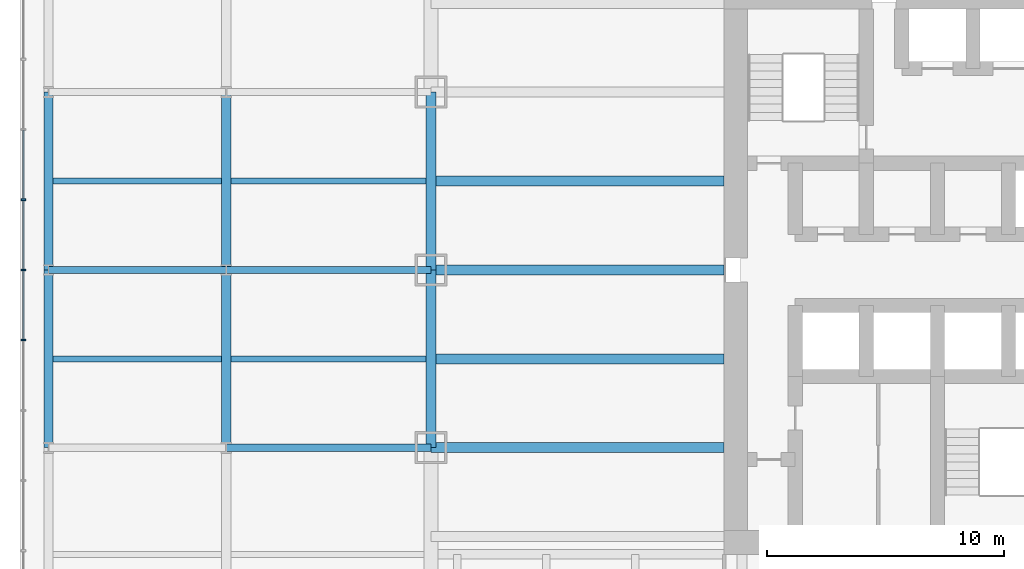
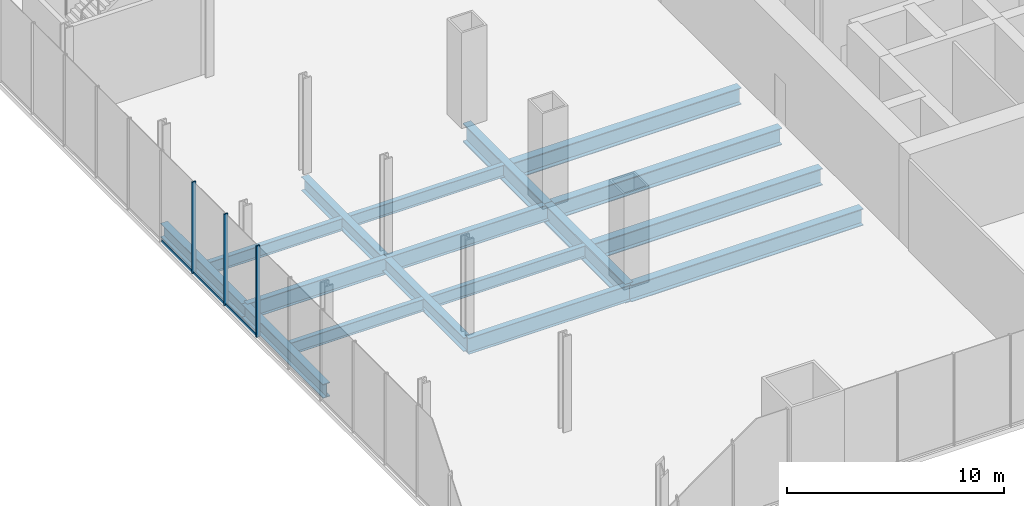
# One storey, part 3 of 16: 17 beams, 6 members, 1 element without a shape of its own.
"""IFC4 building model written with IfcOpenShell, lengths in metres."""

import ifcopenshell
import ifcopenshell.guid

model = None  # the IFC model being written
_history = None  # IfcOwnerHistory: only IFC2X3 demands one
_inside = {}  # id of a spatial element -> (the spatial element, [elements in it])
_under = {}  # id of a project, library or spatial element -> (it, [spatial elements below it])
_declared = {}  # id of a project -> (the project, [libraries it declares])
_typed = {}  # id of a type object -> (the type object, [elements of that type])
_made_of = {}  # id of a material, layer set ... -> (it, [elements and type objects made of it])


def new_model(schema):
    """Start an empty IFC model of exactly this schema.

    Asked for "IFC4X3", IfcOpenShell would pick the latest addendum, in which some entities
    have other attributes; the version numbers below select the first issue.
    IFC2X3 requires an IfcOwnerHistory on every rooted entity: one is made here for all.
    """
    global model, _history
    if schema == "IFC4X3":
        model = ifcopenshell.file(schema_version=(4, 3, 0, 0))
    else:
        model = ifcopenshell.file(schema=schema)
    _inside.clear()
    _under.clear()
    _declared.clear()
    _typed.clear()
    _made_of.clear()
    _history = None
    if model.schema == "IFC2X3":
        org = make("IfcOrganization", Name="unknown")
        user = make(
            "IfcPersonAndOrganization",
            ThePerson=make("IfcPerson", FamilyName="unknown"),
            TheOrganization=org,
        )
        app = make(
            "IfcApplication",
            ApplicationDeveloper=org,
            Version="unknown",
            ApplicationFullName="unknown",
            ApplicationIdentifier="unknown",
        )
        _history = make(
            "IfcOwnerHistory",
            OwningUser=user,
            OwningApplication=app,
            ChangeAction="ADDED",
            CreationDate=0,
        )
    return model


def make(cls, **values):
    """One entity of the class cls with the attributes given. An attribute that is None is left unset."""
    return model.create_entity(
        cls, **{name: value for name, value in values.items() if value is not None}
    )


def rooted(cls, **values):
    """An entity with a GlobalId (a new one), such as an element, a storey or a relation."""
    return make(cls, GlobalId=ifcopenshell.guid.new(), OwnerHistory=_history, **values)


def si_unit(unit_type, name, prefix=None):
    """IfcSIUnit, for example si_unit("LENGTHUNIT", "METRE", prefix="MILLI")."""
    return make("IfcSIUnit", UnitType=unit_type, Prefix=prefix, Name=name)


def assignment(units):
    """IfcUnitAssignment: the units of a project."""
    return None if units is None else make("IfcUnitAssignment", Units=units)


def point(xyz):
    """IfcCartesianPoint."""
    return None if xyz is None else make("IfcCartesianPoint", Coordinates=xyz)


def direction(xyz):
    """IfcDirection."""
    return None if xyz is None else make("IfcDirection", DirectionRatios=xyz)


def frame(location, z_axis=None, x_axis=None):
    """IfcAxis2Placement3D, a coordinate frame: its origin and axes. An axis left out is left unset."""
    return make(
        "IfcAxis2Placement3D",
        Location=point(location),
        Axis=direction(z_axis),
        RefDirection=direction(x_axis),
    )


def frame_2d(location, x_axis=None):
    """IfcAxis2Placement2D, a coordinate frame in the plane: its origin and x axis."""
    return make(
        "IfcAxis2Placement2D", Location=point(location), RefDirection=direction(x_axis)
    )


def origin():
    """The frame at (0, 0, 0) with its axes left unset."""
    return frame((0.0, 0.0, 0.0))


def origin_2d():
    """The frame at (0, 0) in the plane with its x axis left unset."""
    return frame_2d((0.0, 0.0))


def place(relative_to, where):
    """IfcLocalPlacement: puts the frame where relative to a parent placement (None: the world)."""
    return make(
        "IfcLocalPlacement", PlacementRelTo=relative_to, RelativePlacement=where
    )


def context(
    kind, dimensions, precision=None, world=None, true_north=None, identifier=None
):
    """IfcGeometricRepresentationContext, for example the 3D "Model" context."""
    return make(
        "IfcGeometricRepresentationContext",
        ContextIdentifier=identifier,
        ContextType=kind,
        CoordinateSpaceDimension=dimensions,
        Precision=precision,
        WorldCoordinateSystem=world,
        TrueNorth=true_north,
    )


def subcontext(parent, identifier, kind, view, scale=None):
    """IfcGeometricRepresentationSubContext, for example "Body" below "Model"."""
    return make(
        "IfcGeometricRepresentationSubContext",
        ContextIdentifier=identifier,
        ContextType=kind,
        ParentContext=parent,
        TargetScale=scale,
        TargetView=view,
    )


def project(units=None, contexts=None):
    """IfcProject with its units and contexts."""
    return rooted(
        "IfcProject",
        Name="project",
        RepresentationContexts=contexts,
        UnitsInContext=assignment(units),
    )


def spatial(cls, under=None, at=None, **own):
    """A site, building, storey or space (cls), placed at a placement, below another one or the project."""
    s = rooted(cls, ObjectPlacement=at, **own)
    if under is not None:
        _under.setdefault(under.id(), (under, []))[1].append(s)
    return s


def profile(cls, at=None, kind="AREA", **sizes):
    """A parametric profile (cls). Its sizes go by their IFC names, for example OverallWidth=200.0."""
    return make(cls, ProfileType=kind, Position=at, **sizes)


def rectangle(**sizes):
    """IfcRectangleProfileDef."""
    return profile("IfcRectangleProfileDef", **sizes)


def i_section(**sizes):
    """IfcIShapeProfileDef."""
    return profile("IfcIShapeProfileDef", **sizes)


def extrude(swept, where, along, depth):
    """IfcExtrudedAreaSolid: the profile swept, set in the frame where, extruded along a direction by depth."""
    return make(
        "IfcExtrudedAreaSolid",
        SweptArea=swept,
        Position=where,
        ExtrudedDirection=direction(along),
        Depth=depth,
    )


def shape(context_of_items, identifier, shape_type, items):
    """IfcShapeRepresentation: the items that make up one representation, for example the "Body"."""
    return make(
        "IfcShapeRepresentation",
        ContextOfItems=context_of_items,
        RepresentationIdentifier=identifier,
        RepresentationType=shape_type,
        Items=items,
    )


def material(Name=None, Category=None):
    """IfcMaterial."""
    return make("IfcMaterial", Name=Name, Category=Category)


def material_profile(
    of_material, cross_section, Name=None, Category=None, Priority=None
):
    """IfcMaterialProfile: a cross section and its material."""
    return make(
        "IfcMaterialProfile",
        Name=Name,
        Material=of_material,
        Profile=cross_section,
        Priority=Priority,
        Category=Category,
    )


def profile_set(profiles, Name=None, composite=None):
    """IfcMaterialProfileSet."""
    return make(
        "IfcMaterialProfileSet",
        Name=Name,
        MaterialProfiles=profiles,
        CompositeProfile=composite,
    )


def made_of(thing, what):
    """Note that an element or type object is made of a material, layer set ...; save() writes the relation."""
    if what is not None:
        _made_of.setdefault(what.id(), (what, []))[1].append(thing)
    return thing


def type_object(cls, material=None, **own):
    """A type object (cls), such as IfcWallType, which elements share."""
    return made_of(rooted(cls, **own), material)


def element(
    cls,
    number,
    at=None,
    inside=None,
    cuts=None,
    type_object=None,
    material=None,
    context=None,
    identifier="Body",
    shape_type=None,
    held_by="IfcProductDefinitionShape",
    body=None,
    shapes=None,
    **own,
):
    """One element of the class cls, such as IfcWall. Its Tag is "e" and its number.

    at: its placement. inside: the storey or other place that contains it. cuts: it is an
    opening in that element (IfcRelVoidsElement). A single representation is given by context,
    identifier, shape_type and body (its items); several are given by shapes. held_by: the class
    of the entity that holds the representations. save() writes the other relations.
    """
    e = rooted(cls, Tag="e%d" % number, ObjectPlacement=at, **own)
    if body is not None:
        shapes = [shape(context, identifier, shape_type, body)]
    if shapes is not None:
        e.Representation = make(held_by, Representations=shapes)
    if inside is not None:
        _inside.setdefault(inside.id(), (inside, []))[1].append(e)
    if cuts is not None:
        rooted(
            "IfcRelVoidsElement", RelatingBuildingElement=cuts, RelatedOpeningElement=e
        )
    if type_object is not None:
        _typed.setdefault(type_object.id(), (type_object, []))[1].append(e)
    return made_of(e, material)


def aggregate(whole, parts):
    """IfcRelAggregates: a whole, such as a stair, and the parts it consists of."""
    return rooted("IfcRelAggregates", RelatingObject=whole, RelatedObjects=parts)


def save(model, path):
    """Write the relations noted so far, then the file.

    IfcRelAggregates (storeys below a building ...), IfcRelContainedInSpatialStructure (elements
    in a storey), IfcRelDefinesByType, IfcRelAssociatesMaterial and IfcRelDeclares: one each for
    every whole, place, type object, material and project.
    """
    for whole, parts in _under.values():
        aggregate(whole, parts)
    for where, things in _inside.values():
        rooted(
            "IfcRelContainedInSpatialStructure",
            RelatedElements=things,
            RelatingStructure=where,
        )
    for kind, things in _typed.values():
        rooted("IfcRelDefinesByType", RelatedObjects=things, RelatingType=kind)
    for what, things in _made_of.values():
        rooted("IfcRelAssociatesMaterial", RelatedObjects=things, RelatingMaterial=what)
    for by, libraries in _declared.values():
        rooted("IfcRelDeclares", RelatingContext=by, RelatedDefinitions=libraries)
    model.write(path)


model = new_model("IFC4")

# Units and contexts
model_context = context("Model", 3, precision=1e-05, world=origin(), true_north=direction((0.0, 1.0)))
body_context = subcontext(model_context, "Body", "Model", "MODEL_VIEW")
ifc_project = project(units=[si_unit("LENGTHUNIT", "METRE"), si_unit("AREAUNIT", "SQUARE_METRE"), si_unit("VOLUMEUNIT", "CUBIC_METRE"), si_unit("PLANEANGLEUNIT", "RADIAN"), si_unit("MASSUNIT", "GRAM", prefix="KILO")], contexts=[model_context])

# Site, building, storey
site_placement = place(None, origin())
site = spatial("IfcSite", under=ifc_project, at=site_placement, CompositionType="ELEMENT")
building_placement = place(site_placement, origin())
building = spatial("IfcBuilding", under=site, at=building_placement, Name="Tarangal Relay Tower", CompositionType="ELEMENT")
storey_placement = place(building_placement, frame((0.0, 0.0, 12.60009765625)))
storey = spatial("IfcBuildingStorey", under=building, at=storey_placement, Name="L02", CompositionType="ELEMENT", Elevation=12.60009765625)

# Beams
ifc_material_1 = material(Name="Steel ASTM A992", Category="steel")
ifc_material_profile_1 = material_profile(ifc_material_1, i_section(OverallWidth=0.41650390625, OverallDepth=1.0693359375, WebThickness=0.0390625, FlangeThickness=0.070068359375, at=origin_2d()), Name="W40X503")
ifc_profile_set_1 = profile_set([ifc_material_profile_1], Name="Steel ASTM A992")
beam_type_1 = type_object("IfcBeamType", Name="Edge girder W40X503", PredefinedType="SPANDREL", material=ifc_profile_set_1)
for number, where, z_axis, x_axis, name in (
    (1, (-24.364990234375, -7.5, -0.78466796875), (0.0, 1.0, 0.0), (-1.0, 0.0, 0.0), "Edge girder EG8 W L02"),
    (2, (-24.364990234375, 0.0, -0.78466796875), (0.0, 1.0, 0.0), (-1.0, 0.0, 0.0), "Edge girder EG8 W L02"),
):
    element("IfcBeam", number, at=place(storey_placement, frame(where, z_axis=z_axis, x_axis=x_axis)), inside=storey, type_object=beam_type_1, Name=name, PredefinedType="SPANDREL", context=body_context, shape_type="SweptSolid", body=[
        extrude(i_section(OverallWidth=0.41650390625, OverallDepth=1.0693359375, WebThickness=0.0390625, FlangeThickness=0.070068359375, at=origin_2d()), origin(), (0.0, 0.0, 1.0), 7.5),
    ])
ifc_material_profile_2 = material_profile(ifc_material_1, i_section(OverallWidth=0.42431640625, OverallDepth=0.947509765625, WebThickness=0.02392578125, FlangeThickness=0.042724609375, at=origin_2d()), Name="W36X302")
ifc_profile_set_2 = profile_set([ifc_material_profile_2], Name="Steel ASTM A992")
beam_type_2 = type_object("IfcBeamType", Name="Floor beam W36X302", PredefinedType="BEAM", material=ifc_profile_set_2)
beam_1_placement = place(storey_placement, frame((-12.0, -7.5, -0.723876953125), z_axis=(-1.0, 0.0, 0.0), x_axis=(0.0, -1.0, 0.0)))
element("IfcBeam", 3, at=beam_1_placement, inside=storey, type_object=beam_type_2, Name="Floor beam RB10 W L02", PredefinedType="BEAM", context=body_context, shape_type="SweptSolid", body=[
    extrude(i_section(OverallWidth=0.42431640625, OverallDepth=0.947509765625, WebThickness=0.02392578125, FlangeThickness=0.042724609375, at=origin_2d()), origin(), (0.0, 0.0, 1.0), 12.364990234375),
])
beam_2_placement = place(storey_placement, frame((-12.0, -3.75, -0.723876953125), z_axis=(-1.0, 0.0, 0.0), x_axis=(0.0, -1.0, 0.0)))
element("IfcBeam", 4, at=beam_2_placement, inside=storey, type_object=beam_type_2, Name="Floor beam RB10 W L02", PredefinedType="BEAM", context=body_context, shape_type="SweptSolid", body=[
    extrude(i_section(OverallWidth=0.42431640625, OverallDepth=0.947509765625, WebThickness=0.02392578125, FlangeThickness=0.042724609375, at=origin_2d()), origin(), (0.0, 0.0, 1.0), 12.156982421875),
])
beam_3_placement = place(storey_placement, frame((-12.0, 0.0, -0.723876953125), z_axis=(-1.0, 0.0, 0.0), x_axis=(0.0, -1.0, 0.0)))
element("IfcBeam", 5, at=beam_3_placement, inside=storey, type_object=beam_type_2, Name="Floor beam RB10 W L02", PredefinedType="BEAM", context=body_context, shape_type="SweptSolid", body=[
    extrude(i_section(OverallWidth=0.42431640625, OverallDepth=0.947509765625, WebThickness=0.02392578125, FlangeThickness=0.042724609375, at=origin_2d()), origin(), (0.0, 0.0, 1.0), 12.364990234375),
])
beam_4_placement = place(storey_placement, frame((-12.0, 3.75, -0.723876953125), z_axis=(-1.0, 0.0, 0.0), x_axis=(0.0, -1.0, 0.0)))
element("IfcBeam", 6, at=beam_4_placement, inside=storey, type_object=beam_type_2, Name="Floor beam RB10 W L02", PredefinedType="BEAM", context=body_context, shape_type="SweptSolid", body=[
    extrude(i_section(OverallWidth=0.42431640625, OverallDepth=0.947509765625, WebThickness=0.02392578125, FlangeThickness=0.042724609375, at=origin_2d()), origin(), (0.0, 0.0, 1.0), 12.156982421875),
])

# Curtain wall, members
ifc_material_2 = material(Name="Unitised curtain wall, dark glass and black aluminium", Category="aluminium")
curtain_wall_type = type_object("IfcCurtainWallType", Name="Curtain wall CW-P", PredefinedType="USERDEFINED", material=ifc_material_2)
curtain_wall_placement = place(storey_placement, origin())
curtain_wall = element("IfcCurtainWall", 7, at=curtain_wall_placement, inside=storey, type_object=curtain_wall_type, Name="Curtain wall CW-P Podium W facade L02", ObjectType="UNITISED CURTAIN WALL", PredefinedType="USERDEFINED")
ifc_material_3 = material(Name="Black anodised aluminium mullion", Category="aluminium")
ifc_material_profile_3 = material_profile(ifc_material_3, rectangle(XDim=0.199951171875, YDim=0.070068359375, at=origin_2d()), Name="CW-PM 70X200")
ifc_profile_set_3 = profile_set([ifc_material_profile_3], Name="Black anodised aluminium mullion")
member_type_1 = type_object("IfcMemberType", Name="Mullion CW-P 70 x 200", PredefinedType="MULLION", material=ifc_profile_set_3)
member_1_placement = place(storey_placement, frame((-41.550048828125, 2.96240234375, 0.0), z_axis=(0.0, 0.0, 1.0), x_axis=(1.0, 0.0, 0.0)))
member_1 = element("IfcMember", 8, at=member_1_placement, type_object=member_type_1, Name="CW-P mullion 8", PredefinedType="MULLION", context=body_context, shape_type="SweptSolid", body=[
    extrude(rectangle(XDim=0.199951171875, YDim=0.070068359375, at=origin_2d()), origin(), (0.0, 0.0, 1.0), 5.14990234375),
])
member_2_placement = place(storey_placement, frame((-41.550048828125, 0.0, 0.0), z_axis=(0.0, 0.0, 1.0), x_axis=(1.0, 0.0, 0.0)))
member_2 = element("IfcMember", 9, at=member_2_placement, type_object=member_type_1, Name="CW-P mullion 9", PredefinedType="MULLION", context=body_context, shape_type="SweptSolid", body=[
    extrude(rectangle(XDim=0.199951171875, YDim=0.070068359375, at=origin_2d()), origin(), (0.0, 0.0, 1.0), 5.14990234375),
])
member_3_placement = place(storey_placement, frame((-41.550048828125, -2.96240234375, 0.0), z_axis=(0.0, 0.0, 1.0), x_axis=(1.0, 0.0, 0.0)))
member_3 = element("IfcMember", 10, at=member_3_placement, type_object=member_type_1, Name="CW-P mullion 10", PredefinedType="MULLION", context=body_context, shape_type="SweptSolid", body=[
    extrude(rectangle(XDim=0.199951171875, YDim=0.070068359375, at=origin_2d()), origin(), (0.0, 0.0, 1.0), 5.14990234375),
])

# Beams
ifc_material_profile_4 = material_profile(ifc_material_1, i_section(OverallWidth=0.3046875, OverallDepth=0.911865234375, WebThickness=0.015869140625, FlangeThickness=0.02392578125, at=origin_2d()), Name="W36X150")
ifc_profile_set_4 = profile_set([ifc_material_profile_4], Name="Steel ASTM A992")
beam_type_3 = type_object("IfcBeamType", Name="Podium beam W36X150", PredefinedType="BEAM", material=ifc_profile_set_4)
for number, where, z_axis, x_axis, name in (
    (11, (-24.364990234375, -7.5, -0.7060546875), (-1.0, 0.0, 0.0), (0.0, -1.0, 0.0), "Podium beam PB1 L02"),
    (12, (-24.364990234375, 0.0, -0.7060546875), (-1.0, 0.0, 0.0), (0.0, -1.0, 0.0), "Podium beam PB1 L02"),
):
    element("IfcBeam", number, at=place(storey_placement, frame(where, z_axis=z_axis, x_axis=x_axis)), inside=storey, type_object=beam_type_3, Name=name, PredefinedType="BEAM", context=body_context, shape_type="SweptSolid", body=[
        extrude(i_section(OverallWidth=0.3046875, OverallDepth=0.911865234375, WebThickness=0.015869140625, FlangeThickness=0.02392578125, at=origin_2d()), origin(), (0.0, 0.0, 1.0), 8.635009765625),
    ])
beam_5_placement = place(storey_placement, frame((-33.0, 0.0, -0.7060546875), z_axis=(-1.0, 0.0, 0.0), x_axis=(0.0, -1.0, 0.0)))
element("IfcBeam", 13, at=beam_5_placement, inside=storey, type_object=beam_type_3, Name="Podium beam PB1 L02", PredefinedType="BEAM", context=body_context, shape_type="SweptSolid", body=[
    extrude(i_section(OverallWidth=0.3046875, OverallDepth=0.911865234375, WebThickness=0.015869140625, FlangeThickness=0.02392578125, at=origin_2d()), origin(), (0.0, 0.0, 1.0), 7.5),
])
ifc_material_profile_5 = material_profile(ifc_material_1, i_section(OverallWidth=0.383544921875, OverallDepth=0.784912109375, WebThickness=0.019775390625, FlangeThickness=0.033447265625, at=origin_2d()), Name="W30X211")
ifc_profile_set_5 = profile_set([ifc_material_profile_5], Name="Steel ASTM A992")
beam_type_4 = type_object("IfcBeamType", Name="Podium girder W30X211", PredefinedType="BEAM", material=ifc_profile_set_5)
for number, where, z_axis, x_axis, name in (
    (14, (-33.0, -7.5, -0.642578125), (0.0, 1.0, 0.0), (-1.0, 0.0, 0.0), "Podium girder PG1 L02"),
    (15, (-33.0, 0.0, -0.642578125), (0.0, 1.0, 0.0), (-1.0, 0.0, 0.0), "Podium girder PG1 L02"),
    (16, (-40.5, -7.5, -0.642578125), (0.0, 1.0, 0.0), (-1.0, 0.0, 0.0), "Podium girder PG1 L02"),
    (17, (-40.5, 0.0, -0.642578125), (0.0, 1.0, 0.0), (-1.0, 0.0, 0.0), "Podium girder PG1 L02"),
):
    element("IfcBeam", number, at=place(storey_placement, frame(where, z_axis=z_axis, x_axis=x_axis)), inside=storey, type_object=beam_type_4, Name=name, PredefinedType="BEAM", context=body_context, shape_type="SweptSolid", body=[
        extrude(i_section(OverallWidth=0.383544921875, OverallDepth=0.784912109375, WebThickness=0.019775390625, FlangeThickness=0.033447265625, at=origin_2d()), origin(), (0.0, 0.0, 1.0), 7.5),
    ])
ifc_material_profile_6 = material_profile(ifc_material_1, i_section(OverallWidth=0.25390625, OverallDepth=0.683349609375, WebThickness=0.012451171875, FlangeThickness=0.018798828125, at=origin_2d()), Name="W27X94")
ifc_profile_set_6 = profile_set([ifc_material_profile_6], Name="Steel ASTM A992")
beam_type_5 = type_object("IfcBeamType", Name="Podium joist W27X94", PredefinedType="JOIST", material=ifc_profile_set_6)
beam_6_placement = place(storey_placement, frame((-24.572998046875, -3.75, -0.591796875), z_axis=(-1.0, 0.0, 0.0), x_axis=(0.0, -1.0, 0.0)))
element("IfcBeam", 18, at=beam_6_placement, inside=storey, type_object=beam_type_5, Name="Podium joist PJ1 L02", PredefinedType="JOIST", context=body_context, shape_type="SweptSolid", body=[
    extrude(i_section(OverallWidth=0.25390625, OverallDepth=0.683349609375, WebThickness=0.012451171875, FlangeThickness=0.018798828125, at=origin_2d()), origin(), (0.0, 0.0, 1.0), 8.236083984375),
])
beam_7_placement = place(storey_placement, frame((-33.19091796875, -3.75, -0.591796875), z_axis=(-1.0, 0.0, 0.0), x_axis=(0.0, -1.0, 0.0)))
element("IfcBeam", 19, at=beam_7_placement, inside=storey, type_object=beam_type_5, Name="Podium joist PJ1 L02", PredefinedType="JOIST", context=body_context, shape_type="SweptSolid", body=[
    extrude(i_section(OverallWidth=0.25390625, OverallDepth=0.683349609375, WebThickness=0.012451171875, FlangeThickness=0.018798828125, at=origin_2d()), origin(), (0.0, 0.0, 1.0), 7.1181640625),
])
beam_8_placement = place(storey_placement, frame((-24.572998046875, 3.75, -0.591796875), z_axis=(-1.0, 0.0, 0.0), x_axis=(0.0, -1.0, 0.0)))
element("IfcBeam", 20, at=beam_8_placement, inside=storey, type_object=beam_type_5, Name="Podium joist PJ1 L02", PredefinedType="JOIST", context=body_context, shape_type="SweptSolid", body=[
    extrude(i_section(OverallWidth=0.25390625, OverallDepth=0.683349609375, WebThickness=0.012451171875, FlangeThickness=0.018798828125, at=origin_2d()), origin(), (0.0, 0.0, 1.0), 8.236083984375),
])
beam_9_placement = place(storey_placement, frame((-33.19091796875, 3.75, -0.591796875), z_axis=(-1.0, 0.0, 0.0), x_axis=(0.0, -1.0, 0.0)))
element("IfcBeam", 21, at=beam_9_placement, inside=storey, type_object=beam_type_5, Name="Podium joist PJ1 L02", PredefinedType="JOIST", context=body_context, shape_type="SweptSolid", body=[
    extrude(i_section(OverallWidth=0.25390625, OverallDepth=0.683349609375, WebThickness=0.012451171875, FlangeThickness=0.018798828125, at=origin_2d()), origin(), (0.0, 0.0, 1.0), 7.1181640625),
])

# Member
ifc_material_4 = material(Name="Black anodised aluminium transom", Category="aluminium")
ifc_material_profile_7 = material_profile(ifc_material_4, rectangle(XDim=0.070068359375, YDim=0.159912109375, at=origin_2d()), Name="CW-PT 70X160")
ifc_profile_set_7 = profile_set([ifc_material_profile_7], Name="Black anodised aluminium transom")
member_type_2 = type_object("IfcMemberType", Name="Transom CW-P 70 x 160", PredefinedType="USERDEFINED", material=ifc_profile_set_7)
member_4_placement = place(storey_placement, frame((-41.550048828125, 5.889892578125, 0.034912109375), z_axis=(0.0, -1.0, 0.0), x_axis=(1.0, 0.0, 0.0)))
member_4 = element("IfcMember", 22, at=member_4_placement, type_object=member_type_2, Name="CW-P transom 7.1", ObjectType="TRANSOM", PredefinedType="USERDEFINED", context=body_context, shape_type="SweptSolid", body=[
    extrude(rectangle(XDim=0.070068359375, YDim=0.159912109375, at=origin_2d()), origin(), (0.0, 0.0, 1.0), 2.892333984375),
])

member_5_placement = place(storey_placement, frame((-41.550048828125, 2.927490234375, 0.034912109375), z_axis=(0.0, -1.0, 0.0), x_axis=(1.0, 0.0, 0.0)))
member_5 = element("IfcMember", 23, at=member_5_placement, type_object=member_type_2, Name="CW-P transom 8.1", ObjectType="TRANSOM", PredefinedType="USERDEFINED", context=body_context, shape_type="SweptSolid", body=[
    extrude(rectangle(XDim=0.070068359375, YDim=0.159912109375, at=origin_2d()), origin(), (0.0, 0.0, 1.0), 2.892578125),
])

member_6_placement = place(storey_placement, frame((-41.550048828125, -0.034912109375, 0.034912109375), z_axis=(0.0, -1.0, 0.0), x_axis=(1.0, 0.0, 0.0)))
member_6 = element("IfcMember", 24, at=member_6_placement, type_object=member_type_2, Name="CW-P transom 9.1", ObjectType="TRANSOM", PredefinedType="USERDEFINED", context=body_context, shape_type="SweptSolid", body=[
    extrude(rectangle(XDim=0.070068359375, YDim=0.159912109375, at=origin_2d()), origin(), (0.0, 0.0, 1.0), 2.892578125),
])

aggregate(curtain_wall, [member_1, member_2, member_3, member_4, member_5, member_6])

save(model, "model.ifc")
